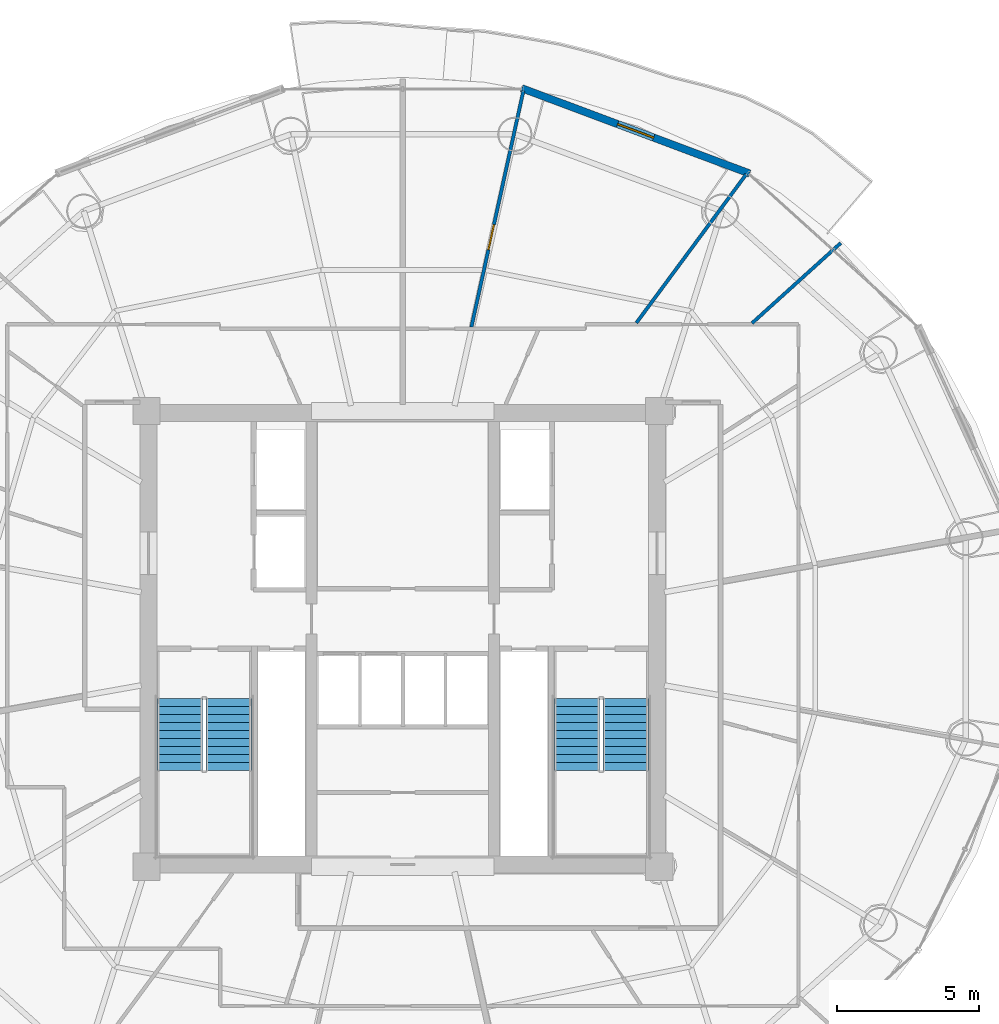
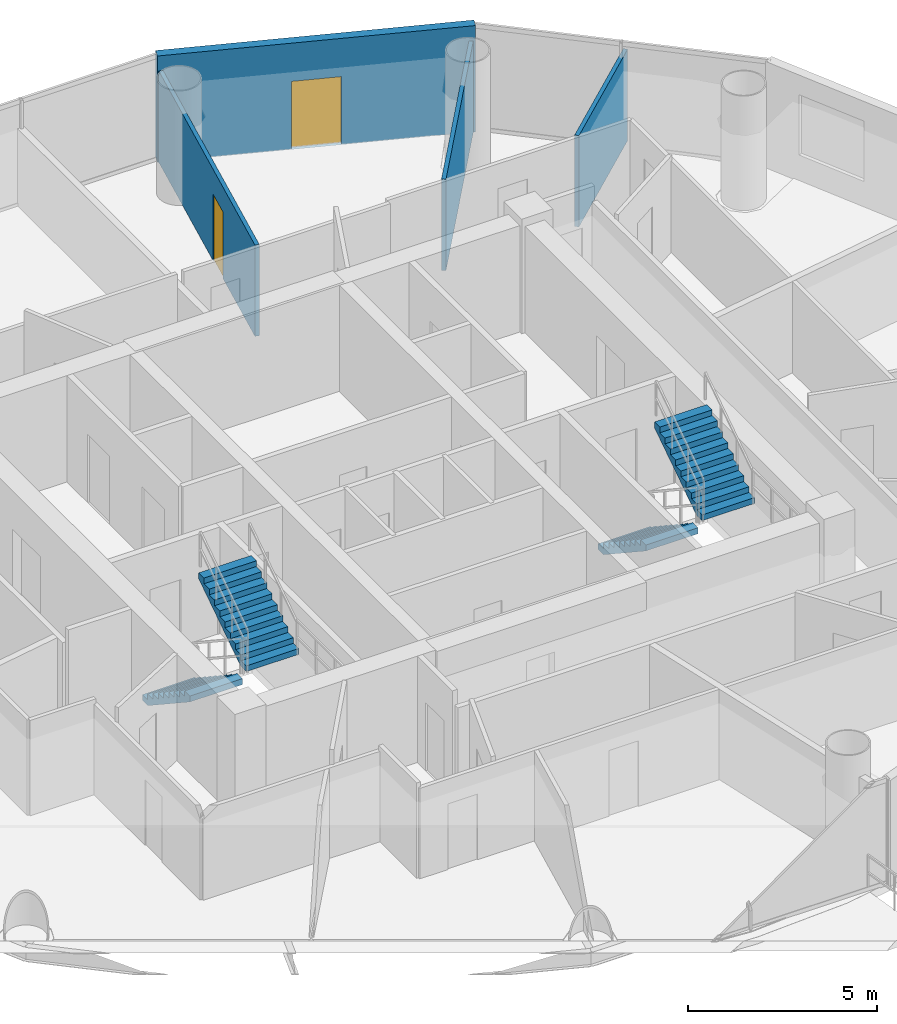
# One storey, part 23 of 27: 4 stair flights, 4 walls, 2 doors, 2 openings, 2 elements without a shape of their own.
"""IFC4 building model written with IfcOpenShell, lengths in metres."""

from ifc_helpers import new_model, si_unit, direction, frame, frame_2d, origin, place, context, subcontext, project, spatial, polyline, rectangle, outline, extrude, source, transform, mapped, material, layer, layer_set, type_object, element, fill, aggregate, save


model = new_model("IFC4")

# Units and contexts
model_context = context("Model", 3, precision=1e-05, world=origin(), true_north=direction((-0.2419218956, 0.970295726276)))
body_context = subcontext(model_context, "Body", "Model", "MODEL_VIEW")
ifc_project = project(units=[si_unit("LENGTHUNIT", "METRE"), si_unit("AREAUNIT", "SQUARE_METRE"), si_unit("VOLUMEUNIT", "CUBIC_METRE"), si_unit("PLANEANGLEUNIT", "RADIAN"), si_unit("MASSUNIT", "GRAM", prefix="KILO")], contexts=[model_context])

# Site, building, storey
site_placement = place(None, origin())
site = spatial("IfcSite", under=ifc_project, at=site_placement, CompositionType="ELEMENT")
building_placement = place(site_placement, origin())
building = spatial("IfcBuilding", under=site, at=building_placement, Name="Cobrevalo Terracotta Tower", CompositionType="ELEMENT")
storey_placement = place(building_placement, frame((0.0, 0.0, 194.89990234375)))
storey = spatial("IfcBuildingStorey", under=building, at=storey_placement, Name="L51", CompositionType="ELEMENT", Elevation=194.89990234375)

# Wall, opening, door
ifc_material_1 = material(Name="Autoclaved aerated concrete block", Category="concrete")
ifc_layer_1 = layer(ifc_material_1, 0.260009765625)
ifc_layer_set_1 = layer_set([ifc_layer_1], Name="Autoclaved aerated concrete block")
wall_type_1 = type_object("IfcWallType", Name="Recessed balcony loggia insulated exterior wall 260 mm", PredefinedType="SOLIDWALL", material=ifc_layer_set_1)
wall_1_placement = place(storey_placement, frame((50.169677734375, 43.126953125, 0.0), z_axis=(0.0, 0.0, 1.0), x_axis=(-0.936556918375, 0.350515532672, 0.0)))
wall_1 = element("IfcWall", 1, at=wall_1_placement, inside=storey, type_object=wall_type_1, Name="L51 balcony loggia wall S03", PredefinedType="SOLIDWALL", context=body_context, shape_type="SweptSolid", body=[
    extrude(rectangle(XDim=8.539306640625, YDim=0.260009765625, at=frame_2d((4.26953125, 0.0))), origin(), (0.0, 0.0, 1.0), 3.43505859375),
])
opening_1_placement = place(wall_1_placement, frame((3.594482421875, 0.0, 0.0)))
opening_1 = element("IfcOpeningElement", 2, at=opening_1_placement, cuts=wall_1, Name="Opening ED-05", PredefinedType="OPENING", context=body_context, shape_type="SweptSolid", body=[
    extrude(rectangle(XDim=1.35009765625, YDim=2.199951171875, at=frame_2d((0.675048828125, 1.10009765625))), frame((0.0, 0.14013671875, 0.0), z_axis=(0.0, -1.0, 0.0), x_axis=(1.0, 0.0, 0.0)), (0.0, 0.0, 1.0), 0.280029296875),
])
ifc_material_2 = material(Name="Anodized aluminium and laminated glass", Category="aluminium")
door_type_1 = type_object("IfcDoorType", Name="Suite balcony acoustic glazed terrace door 1350x2200", OperationType="NOTDEFINED", PredefinedType="DOOR", material=ifc_material_2)
shared_shape_1 = source(origin(), body_context, "Body", "SweptSolid", [
    extrude(rectangle(XDim=1.35009765625, YDim=2.199951171875, at=frame_2d((0.675048828125, 1.10009765625))), frame((0.0, 0.02490234375, 0.0), z_axis=(0.0, -1.0, 0.0), x_axis=(1.0, 0.0, 0.0)), (0.0, 0.0, 1.0), 0.050048828125),
])
door_1_placement = place(opening_1_placement, frame((1.35009765625, 0.0, 0.0), z_axis=(0.0, 0.0, 1.0), x_axis=(-1.0, 0.0, 0.0)))
door_1 = element("IfcDoor", 3, at=door_1_placement, inside=storey, type_object=door_type_1, Name="L51 glazed balcony terrace door 1", OperationType="SINGLE_SWING_LEFT", OverallHeight=2.199951171875, OverallWidth=1.35009765625, PredefinedType="DOOR", context=body_context, shape_type="MappedRepresentation", body=[
    mapped(shared_shape_1, transform((0.0, 0.0, 0.0), scale=1.0)),
])
fill(opening_1, door_1)

# Walls
ifc_material_3 = material(Name="Gypsum board on steel stud", Category="steel")
ifc_layer_2 = layer(ifc_material_3, 0.1201171875)
ifc_layer_set_2 = layer_set([ifc_layer_2], Name="Gypsum board on steel stud")
wall_type_2 = type_object("IfcWallType", Name="Residential internal acoustic stud partition 120 mm", PredefinedType="PARTITIONING", material=ifc_layer_set_2)
wall_2_placement = place(storey_placement, frame((50.25732421875, 37.87646484375, 0.0), z_axis=(0.0, 0.0, 1.0), x_axis=(0.741943837234, 0.670462036502, 0.0)))
element("IfcWall", 4, at=wall_2_placement, inside=storey, type_object=wall_type_2, Name="L51 interior partition IW-L51-U1-ORAD1", PredefinedType="PARTITIONING", context=body_context, shape_type="SweptSolid", body=[
    extrude(rectangle(XDim=4.194091796875, YDim=0.1201171875, at=frame_2d((2.09716796875, 0.0))), origin(), (0.0, 0.0, 1.0), 2.951171875),
])
wall_3_placement = place(storey_placement, frame((46.1962890625, 37.884765625, 0.0), z_axis=(0.0, 0.0, 1.0), x_axis=(0.594507557292, 0.804090022524, 0.0)))
element("IfcWall", 5, at=wall_3_placement, inside=storey, type_object=wall_type_2, Name="L51 interior partition IW-L51-U1-ORAD2", PredefinedType="PARTITIONING", context=body_context, shape_type="SweptSolid", body=[
    extrude(rectangle(XDim=6.4814453125, YDim=0.1201171875, at=frame_2d((3.24072265625, 0.0))), origin(), (0.0, 0.0, 1.0), 2.951171875),
])

# Wall, opening, door
wall_4_placement = place(storey_placement, frame((40.406982421875, 37.735595703125, 0.0), z_axis=(0.0, 0.0, 1.0), x_axis=(0.214971015179, 0.97662042915, 0.0)))
wall_4 = element("IfcWall", 6, at=wall_4_placement, inside=storey, type_object=wall_type_2, Name="L51 interior partition IW-L51-U1-ORAD3M1", PredefinedType="PARTITIONING", context=body_context, shape_type="SweptSolid", body=[
    extrude(rectangle(XDim=8.48486328125, YDim=0.1201171875, at=frame_2d((4.242431640625, 0.0))), origin(), (0.0, 0.0, 1.0), 2.951171875),
])
opening_2_placement = place(wall_4_placement, frame((2.7802734375, 0.0, 0.0)))
opening_2 = element("IfcOpeningElement", 7, at=opening_2_placement, cuts=wall_4, Name="Opening ID-12", PredefinedType="OPENING", context=body_context, shape_type="SweptSolid", body=[
    extrude(rectangle(XDim=0.89990234375, YDim=2.14990234375, at=frame_2d((0.449951171875, 1.074951171875))), frame((0.0, 0.070068359375, 0.0), z_axis=(0.0, -1.0, 0.0), x_axis=(1.0, 0.0, 0.0)), (0.0, 0.0, 1.0), 0.14013671875),
])
ifc_material_4 = material(Name="Engineered timber", Category="wood")
door_type_2 = type_object("IfcDoorType", Name="Internal residence & suite timber door 900x2150", OperationType="NOTDEFINED", PredefinedType="DOOR", material=ifc_material_4)
shared_shape_2 = source(origin(), body_context, "Body", "SweptSolid", [
    extrude(rectangle(XDim=0.89990234375, YDim=2.14990234375, at=frame_2d((0.449951171875, 1.074951171875))), frame((0.0, 0.02490234375, 0.0), z_axis=(0.0, -1.0, 0.0), x_axis=(1.0, 0.0, 0.0)), (0.0, 0.0, 1.0), 0.050048828125),
])
door_2_placement = place(opening_2_placement, frame((0.89990234375, 0.0, 0.0), z_axis=(0.0, 0.0, 1.0), x_axis=(-1.0, 0.0, 0.0)))
door_2 = element("IfcDoor", 8, at=door_2_placement, inside=storey, type_object=door_type_2, Name="Flat L51A Principal Guest Bedroom internal door", OperationType="SINGLE_SWING_RIGHT", OverallHeight=2.14990234375, OverallWidth=0.89990234375, PredefinedType="DOOR", context=body_context, shape_type="MappedRepresentation", body=[
    mapped(shared_shape_2, transform((0.0, 0.0, 0.0), scale=1.0)),
])
fill(opening_2, door_2)

# Stair, stair flights
ifc_material_5 = material(Name="Concrete C50", Category="concrete")
stair_type = type_object("IfcStairType", Name="Core protected escape dogleg stair 1600", PredefinedType="HALF_TURN_STAIR", material=ifc_material_5)
stair_1_placement = place(storey_placement, origin())
stair_1 = element("IfcStair", 9, at=stair_1_placement, inside=storey, type_object=stair_type, Name="L51 Protected exit stair ST-1", PredefinedType="HALF_TURN_STAIR")
stair_flight_type = type_object("IfcStairFlightType", Name="Core protected escape dogleg stair 1600 flight", PredefinedType="STRAIGHT", material=ifc_material_5)
stair_flight_1_placement = place(storey_placement, frame((30.175048828125, 24.699951171875, 0.0), z_axis=(0.0, 0.0, 1.0), x_axis=(0.0, -1.0, 0.0)))
stair_flight_1 = element("IfcStairFlight", 10, at=stair_flight_1_placement, type_object=stair_flight_type, Name="ST-1 flight 1", NumberOfRisers=10, NumberOfTreads=9, PredefinedType="STRAIGHT", RiserHeight=0.185, TreadLength=0.28, context=body_context, shape_type="SweptSolid", body=[
    extrude(outline(polyline([(0.0, 0.0), (0.0, 0.18505859375), (0.280029296875, 0.18505859375), (0.280029296875, 0.3701171875), (0.56005859375, 0.3701171875), (0.56005859375, 0.554931640625), (0.840087890625, 0.554931640625), (0.840087890625, 0.739990234375), (1.1201171875, 0.739990234375), (1.1201171875, 0.925048828125), (1.39990234375, 0.925048828125), (1.39990234375, 1.110107421875), (1.679931640625, 1.110107421875), (1.679931640625, 1.294921875), (1.9599609375, 1.294921875), (1.9599609375, 1.47998046875), (2.239990234375, 1.47998046875), (2.239990234375, 1.6650390625), (2.52001953125, 1.6650390625), (2.52001953125, 1.85009765625), (2.52001953125, 1.473388671875), (0.2900390625, 0.0), (0.0, 0.0)])), frame((0.0, 0.800048828125, 0.0), z_axis=(0.0, -1.0, 0.0), x_axis=(1.0, 0.0, 0.0)), (0.0, 0.0, 1.0), 1.60009765625),
])
stair_flight_2_placement = place(storey_placement, frame((31.89501953125, 22.179931640625, 1.85009765625), z_axis=(0.0, 0.0, 1.0), x_axis=(0.0, 1.0, 0.0)))
stair_flight_2 = element("IfcStairFlight", 11, at=stair_flight_2_placement, type_object=stair_flight_type, Name="ST-1 flight 2", NumberOfRisers=10, NumberOfTreads=9, PredefinedType="STRAIGHT", RiserHeight=0.185, TreadLength=0.28, context=body_context, shape_type="SweptSolid", body=[
    extrude(outline(polyline([(0.0, 0.0), (0.0, 0.18505859375), (0.280029296875, 0.18505859375), (0.280029296875, 0.3701171875), (0.56005859375, 0.3701171875), (0.56005859375, 0.554931640625), (0.840087890625, 0.554931640625), (0.840087890625, 0.739990234375), (1.1201171875, 0.739990234375), (1.1201171875, 0.925048828125), (1.39990234375, 0.925048828125), (1.39990234375, 1.110107421875), (1.679931640625, 1.110107421875), (1.679931640625, 1.294921875), (1.9599609375, 1.294921875), (1.9599609375, 1.47998046875), (2.239990234375, 1.47998046875), (2.239990234375, 1.6650390625), (2.52001953125, 1.6650390625), (2.52001953125, 1.85009765625), (2.52001953125, 1.473388671875), (0.2900390625, 0.0), (0.0, 0.0)])), frame((0.0, 0.800048828125, 0.0), z_axis=(0.0, -1.0, 0.0), x_axis=(1.0, 0.0, 0.0)), (0.0, 0.0, 1.0), 1.60009765625),
])
aggregate(stair_1, [stair_flight_1, stair_flight_2])

stair_2_placement = place(storey_placement, origin())
stair_2 = element("IfcStair", 12, at=stair_2_placement, inside=storey, type_object=stair_type, Name="L51 Protected exit stair ST-2", PredefinedType="HALF_TURN_STAIR")
stair_flight_3_placement = place(storey_placement, frame((44.10498046875, 24.699951171875, 0.0), z_axis=(0.0, 0.0, 1.0), x_axis=(0.0, -1.0, 0.0)))
stair_flight_3 = element("IfcStairFlight", 13, at=stair_flight_3_placement, type_object=stair_flight_type, Name="ST-2 flight 1", NumberOfRisers=10, NumberOfTreads=9, PredefinedType="STRAIGHT", RiserHeight=0.185, TreadLength=0.28, context=body_context, shape_type="SweptSolid", body=[
    extrude(outline(polyline([(0.0, 0.0), (0.0, 0.18505859375), (0.280029296875, 0.18505859375), (0.280029296875, 0.3701171875), (0.56005859375, 0.3701171875), (0.56005859375, 0.554931640625), (0.840087890625, 0.554931640625), (0.840087890625, 0.739990234375), (1.1201171875, 0.739990234375), (1.1201171875, 0.925048828125), (1.39990234375, 0.925048828125), (1.39990234375, 1.110107421875), (1.679931640625, 1.110107421875), (1.679931640625, 1.294921875), (1.9599609375, 1.294921875), (1.9599609375, 1.47998046875), (2.239990234375, 1.47998046875), (2.239990234375, 1.6650390625), (2.52001953125, 1.6650390625), (2.52001953125, 1.85009765625), (2.52001953125, 1.473388671875), (0.2900390625, 0.0), (0.0, 0.0)])), frame((0.0, 0.800048828125, 0.0), z_axis=(0.0, -1.0, 0.0), x_axis=(1.0, 0.0, 0.0)), (0.0, 0.0, 1.0), 1.60009765625),
])
stair_flight_4_placement = place(storey_placement, frame((45.824951171875, 22.179931640625, 1.85009765625), z_axis=(0.0, 0.0, 1.0), x_axis=(0.0, 1.0, 0.0)))
stair_flight_4 = element("IfcStairFlight", 14, at=stair_flight_4_placement, type_object=stair_flight_type, Name="ST-2 flight 2", NumberOfRisers=10, NumberOfTreads=9, PredefinedType="STRAIGHT", RiserHeight=0.185, TreadLength=0.28, context=body_context, shape_type="SweptSolid", body=[
    extrude(outline(polyline([(0.0, 0.0), (0.0, 0.18505859375), (0.280029296875, 0.18505859375), (0.280029296875, 0.3701171875), (0.56005859375, 0.3701171875), (0.56005859375, 0.554931640625), (0.840087890625, 0.554931640625), (0.840087890625, 0.739990234375), (1.1201171875, 0.739990234375), (1.1201171875, 0.925048828125), (1.39990234375, 0.925048828125), (1.39990234375, 1.110107421875), (1.679931640625, 1.110107421875), (1.679931640625, 1.294921875), (1.9599609375, 1.294921875), (1.9599609375, 1.47998046875), (2.239990234375, 1.47998046875), (2.239990234375, 1.6650390625), (2.52001953125, 1.6650390625), (2.52001953125, 1.85009765625), (2.52001953125, 1.473388671875), (0.2900390625, 0.0), (0.0, 0.0)])), frame((0.0, 0.800048828125, 0.0), z_axis=(0.0, -1.0, 0.0), x_axis=(1.0, 0.0, 0.0)), (0.0, 0.0, 1.0), 1.60009765625),
])
aggregate(stair_2, [stair_flight_3, stair_flight_4])

save(model, "model.ifc")
